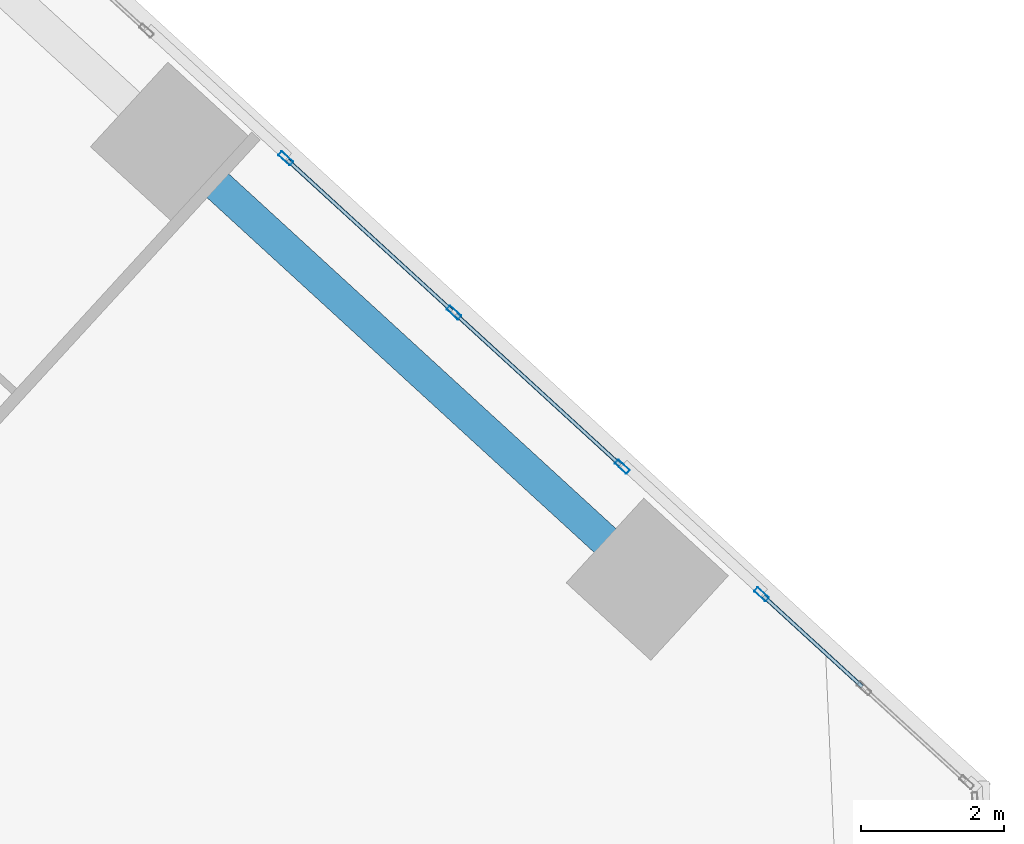
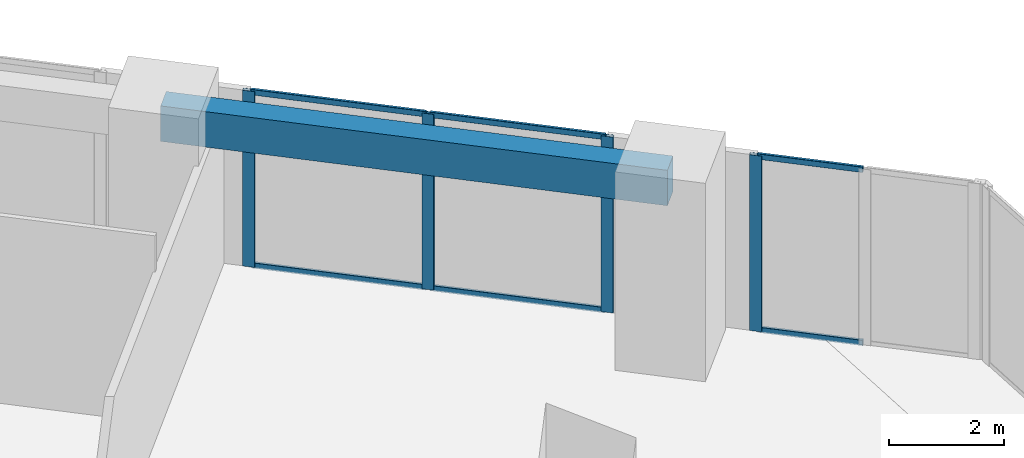
# One storey, part 9 of 19: 10 members, 1 beam, 2 elements without a shape of their own.
"""IFC4 building model written with IfcOpenShell, lengths in metres."""

from ifc_helpers import new_model, si_unit, direction, frame, origin, origin_2d, place, context, subcontext, project, spatial, rectangle, hollow_rectangle, extrude, source, transform, mapped, material, material_profile, profile_set, type_object, element, aggregate, save


model = new_model("IFC4")

# Units and contexts
model_context = context("Model", 3, precision=1e-05, world=origin(), true_north=direction((0.0, 1.0)))
body_context = subcontext(model_context, "Body", "Model", "MODEL_VIEW")
ifc_project = project(units=[si_unit("LENGTHUNIT", "METRE"), si_unit("AREAUNIT", "SQUARE_METRE"), si_unit("VOLUMEUNIT", "CUBIC_METRE"), si_unit("PLANEANGLEUNIT", "RADIAN"), si_unit("MASSUNIT", "GRAM", prefix="KILO")], contexts=[model_context])

# Site, building, storey
site_placement = place(None, origin())
site = spatial("IfcSite", under=ifc_project, at=site_placement, CompositionType="ELEMENT")
building_placement = place(site_placement, origin())
building = spatial("IfcBuilding", under=site, at=building_placement, Name="Torre Montelarca", CompositionType="ELEMENT")
storey_placement = place(building_placement, frame((0.0, 0.0, 229.0)))
storey = spatial("IfcBuildingStorey", under=building, at=storey_placement, Name="L51", CompositionType="ELEMENT", Elevation=229.0)

# Beam
ifc_material_1 = material(Name="Concrete C55/67", Category="concrete")
ifc_material_profile_1 = material_profile(ifc_material_1, rectangle(XDim=0.449951171875, YDim=0.75, at=origin_2d()), Name="RCB450X750", Category="concrete")
ifc_profile_set_1 = profile_set([ifc_material_profile_1], Name="Concrete C55/67")
beam_type = type_object("IfcBeamType", Name="BM-SP-RC750-EXT", PredefinedType="SPANDREL", material=ifc_profile_set_1)
shared_shape_1 = source(origin(), body_context, "Body", "SweptSolid", [
    extrude(rectangle(XDim=0.449951171875, YDim=0.75, at=origin_2d()), origin(), (0.0, 0.0, 1.0), 9.0),
])
beam_placement = place(storey_placement, frame((35.790283203125, 39.4541015625, 3.5849609375), z_axis=(0.73727686361, -0.675590724023, 0.0), x_axis=(0.675590724023, 0.73727686361, 0.0)))
element("IfcBeam", 1, at=beam_placement, inside=storey, type_object=beam_type, Name="L51 Grid Girder X 27.0-36.0 at Y=47.1", PredefinedType="SPANDREL", context=body_context, shape_type="MappedRepresentation", body=[
    mapped(shared_shape_1, transform((0.0, 0.0, 0.0), scale=1.0)),
])

# Curtain wall, member
ifc_material_2 = material(Name="Insulated low-E laminated glass", Category="glass")
curtain_wall_type = type_object("IfcCurtainWallType", Name="CW-SYS-Z3", PredefinedType="USERDEFINED", material=ifc_material_2)
curtain_wall_1_placement = place(storey_placement, origin())
curtain_wall_1 = element("IfcCurtainWall", 2, at=curtain_wall_1_placement, inside=storey, type_object=curtain_wall_type, Name="L51 Curtain Wall Run CW-T3-L51-E08-B1", ObjectType="UNITISED GLAZING", PredefinedType="USERDEFINED")
ifc_material_3 = material(Name="Anodised aluminium AA 6063-T6", Category="aluminium")
ifc_material_profile_2 = material_profile(ifc_material_3, hollow_rectangle(XDim=0.074951171875, YDim=0.219970703125, WallThickness=0.0048828125, InnerFilletRadius=0.0048828125, OuterFilletRadius=0.010009765625, at=origin_2d()), Name="ALU75X220X5", Category="aluminium")
ifc_profile_set_2 = profile_set([ifc_material_profile_2], Name="Anodised aluminium AA 6063-T6")
member_type_1 = type_object("IfcMemberType", Name="CWM-ALU220", PredefinedType="MULLION", material=ifc_profile_set_2)
shared_shape_2 = source(origin(), body_context, "Body", "SweptSolid", [
    extrude(hollow_rectangle(XDim=0.074951171875, YDim=0.219970703125, WallThickness=0.0048828125, InnerFilletRadius=0.0048828125, OuterFilletRadius=0.010009765625, at=origin_2d()), origin(), (0.0, 0.0, 1.0), 3.719970703125),
])
member_1_placement = place(storey_placement, frame((44.0185546875, 33.161865234375, 0.0), z_axis=(0.0, 0.0, 1.0), x_axis=(-0.675580323, -0.73728639427, 0.0)))
member_1 = element("IfcMember", 3, at=member_1_placement, type_object=member_type_1, Name="CW mullion 3", PredefinedType="MULLION", context=body_context, shape_type="MappedRepresentation", body=[
    mapped(shared_shape_2, transform((0.0, 0.0, 0.0), scale=1.0)),
])

# Curtain wall, members
curtain_wall_2_placement = place(storey_placement, origin())
curtain_wall_2 = element("IfcCurtainWall", 4, at=curtain_wall_2_placement, inside=storey, type_object=curtain_wall_type, Name="L51 Curtain Wall Run CW-T3-L51-E08-B2", ObjectType="UNITISED GLAZING", PredefinedType="USERDEFINED")
member_2_placement = place(storey_placement, frame((42.075927734375, 34.942138671875, 0.0), z_axis=(0.0, 0.0, 1.0), x_axis=(-0.675595237064, -0.737272728138, 0.0)))
member_2 = element("IfcMember", 5, at=member_2_placement, type_object=member_type_1, Name="CW mullion 1", PredefinedType="MULLION", context=body_context, shape_type="MappedRepresentation", body=[
    mapped(shared_shape_2, transform((0.0, 0.0, 0.0), scale=1.0)),
])
member_3_placement = place(storey_placement, frame((39.7294921875, 37.09228515625, 0.0), z_axis=(0.0, 0.0, 1.0), x_axis=(-0.675595237064, -0.737272728138, 0.0)))
member_3 = element("IfcMember", 6, at=member_3_placement, type_object=member_type_1, Name="CW mullion 2", PredefinedType="MULLION", context=body_context, shape_type="MappedRepresentation", body=[
    mapped(shared_shape_2, transform((0.0, 0.0, 0.0), scale=1.0)),
])
member_4_placement = place(storey_placement, frame((37.383056640625, 39.2421875, 0.0), z_axis=(0.0, 0.0, 1.0), x_axis=(-0.675595237064, -0.737272728138, 0.0)))
member_4 = element("IfcMember", 7, at=member_4_placement, type_object=member_type_1, Name="CW mullion 3", PredefinedType="MULLION", context=body_context, shape_type="MappedRepresentation", body=[
    mapped(shared_shape_2, transform((0.0, 0.0, 0.0), scale=1.0)),
])
ifc_material_profile_3 = material_profile(ifc_material_3, hollow_rectangle(XDim=0.054931640625, YDim=0.1201171875, WallThickness=0.00341796875, InnerFilletRadius=0.00341796875, OuterFilletRadius=0.007080078125, at=origin_2d()), Name="ALU55X120X3.5", Category="aluminium")
ifc_profile_set_3 = profile_set([ifc_material_profile_3], Name="Anodised aluminium AA 6063-T6")
member_type_2 = type_object("IfcMemberType", Name="CWT-ALU120", PredefinedType="USERDEFINED", material=ifc_profile_set_3)
shared_shape_3 = source(origin(), body_context, "Body", "SweptSolid", [
    extrude(hollow_rectangle(XDim=0.054931640625, YDim=0.1201171875, WallThickness=0.00341796875, InnerFilletRadius=0.00341796875, OuterFilletRadius=0.007080078125, at=origin_2d()), origin(), (0.0, 0.0, 1.0), 3.107421875),
])
member_5_placement = place(storey_placement, frame((42.048095703125, 34.967529296875, 0.027587890625), z_axis=(-0.737271534665, 0.675596539491, 0.0), x_axis=(-0.675596539491, -0.737271534665, 0.0)))
member_5 = element("IfcMember", 8, at=member_5_placement, type_object=member_type_2, Name="CW transom 1.1", ObjectType="TRANSOM", PredefinedType="USERDEFINED", context=body_context, shape_type="MappedRepresentation", body=[
    mapped(shared_shape_3, transform((0.0, 0.0, 0.0), scale=1.0)),
])
member_6_placement = place(storey_placement, frame((42.048095703125, 34.967529296875, 3.6923828125), z_axis=(-0.737271534665, 0.675596539491, 0.0), x_axis=(-0.675596539491, -0.737271534665, 0.0)))
member_6 = element("IfcMember", 9, at=member_6_placement, type_object=member_type_2, Name="CW transom 1.2", ObjectType="TRANSOM", PredefinedType="USERDEFINED", context=body_context, shape_type="MappedRepresentation", body=[
    mapped(shared_shape_3, transform((0.0, 0.0, 0.0), scale=1.0)),
])
shared_shape_4 = source(origin(), body_context, "Body", "SweptSolid", [
    extrude(hollow_rectangle(XDim=0.054931640625, YDim=0.1201171875, WallThickness=0.00341796875, InnerFilletRadius=0.00341796875, OuterFilletRadius=0.007080078125, at=origin_2d()), origin(), (0.0, 0.0, 1.0), 3.107666015625),
])
member_7_placement = place(storey_placement, frame((39.701904296875, 37.117431640625, 0.027587890625), z_axis=(-0.737232401496, 0.675639242632, 0.0), x_axis=(-0.675639242632, -0.737232401496, 0.0)))
member_7 = element("IfcMember", 10, at=member_7_placement, type_object=member_type_2, Name="CW transom 2.1", ObjectType="TRANSOM", PredefinedType="USERDEFINED", context=body_context, shape_type="MappedRepresentation", body=[
    mapped(shared_shape_4, transform((0.0, 0.0, 0.0), scale=1.0)),
])
member_8_placement = place(storey_placement, frame((39.701904296875, 37.117431640625, 3.6923828125), z_axis=(-0.737232401496, 0.675639242632, 0.0), x_axis=(-0.675639242632, -0.737232401496, 0.0)))
member_8 = element("IfcMember", 11, at=member_8_placement, type_object=member_type_2, Name="CW transom 2.2", ObjectType="TRANSOM", PredefinedType="USERDEFINED", context=body_context, shape_type="MappedRepresentation", body=[
    mapped(shared_shape_4, transform((0.0, 0.0, 0.0), scale=1.0)),
])
aggregate(curtain_wall_2, [member_2, member_3, member_4, member_5, member_6, member_7, member_8])

# Member
shared_shape_5 = source(origin(), body_context, "Body", "SweptSolid", [
    extrude(hollow_rectangle(XDim=0.054931640625, YDim=0.1201171875, WallThickness=0.00341796875, InnerFilletRadius=0.00341796875, OuterFilletRadius=0.007080078125, at=origin_2d()), origin(), (0.0, 0.0, 1.0), 1.864501953125),
])
member_9_placement = place(storey_placement, frame((45.421142578125, 31.876953125, 0.027587890625), z_axis=(-0.737333479841, 0.675528933138, 0.0), x_axis=(-0.675528933138, -0.737333479841, 0.0)))
member_9 = element("IfcMember", 12, at=member_9_placement, type_object=member_type_2, Name="CW transom 2.1", ObjectType="TRANSOM", PredefinedType="USERDEFINED", context=body_context, shape_type="MappedRepresentation", body=[
    mapped(shared_shape_5, transform((0.0, 0.0, 0.0), scale=1.0)),
])

member_10_placement = place(storey_placement, frame((45.421142578125, 31.876953125, 3.6923828125), z_axis=(-0.737333479841, 0.675528933138, 0.0), x_axis=(-0.675528933138, -0.737333479841, 0.0)))
member_10 = element("IfcMember", 13, at=member_10_placement, type_object=member_type_2, Name="CW transom 2.2", ObjectType="TRANSOM", PredefinedType="USERDEFINED", context=body_context, shape_type="MappedRepresentation", body=[
    mapped(shared_shape_5, transform((0.0, 0.0, 0.0), scale=1.0)),
])

aggregate(curtain_wall_1, [member_1, member_9, member_10])

save(model, "model.ifc")
